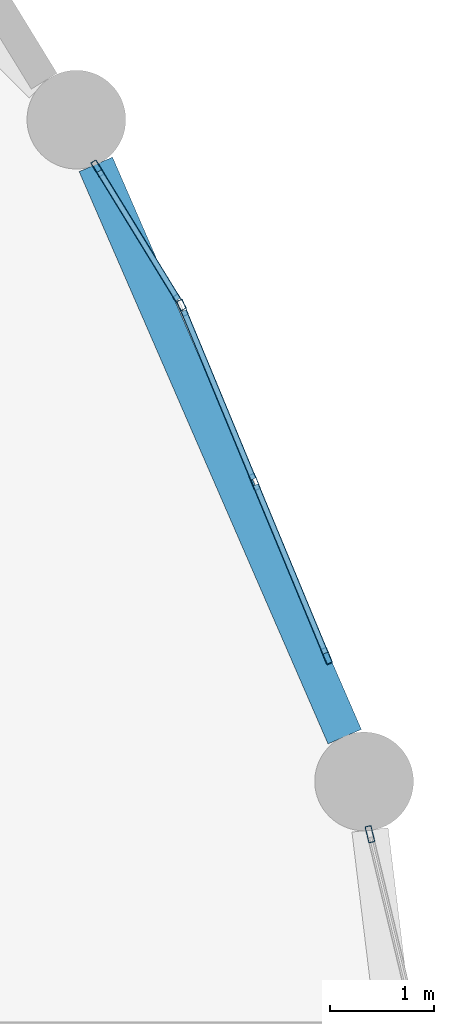
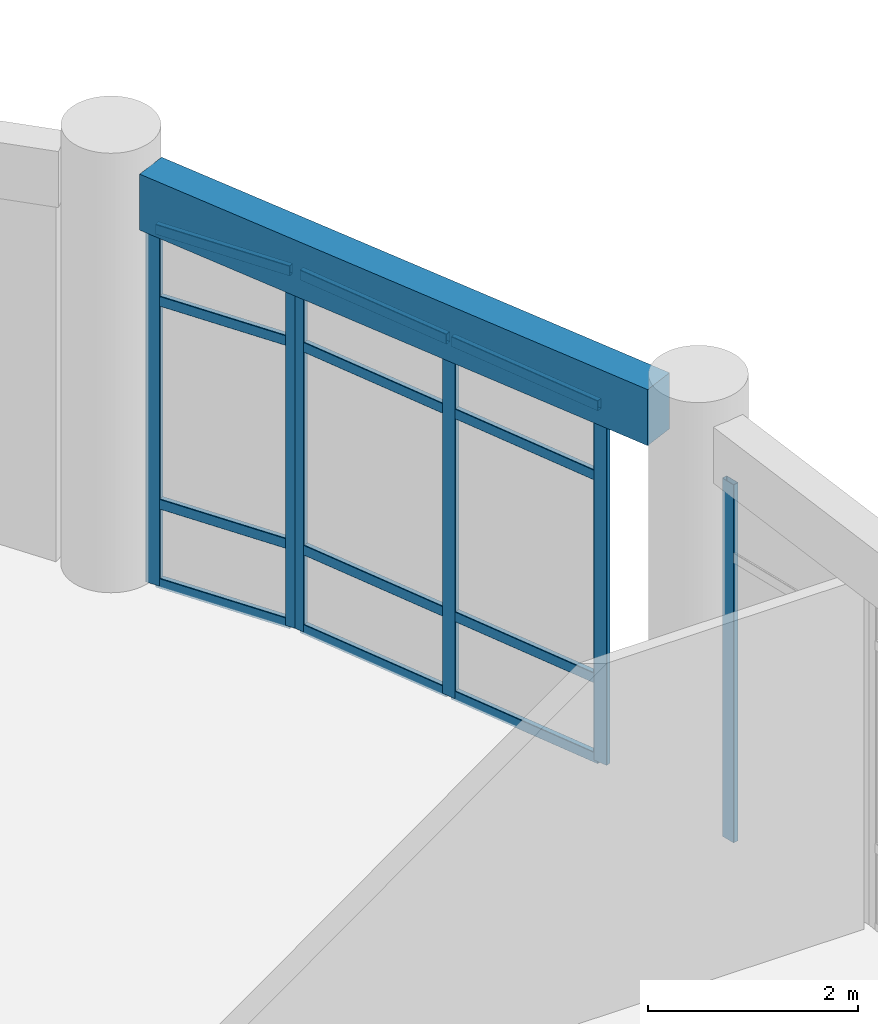
# One storey, part 83 of 120: 18 members, 1 beam, 3 elements without a shape of their own.
"""IFC4 building model written with IfcOpenShell, lengths in metres."""

from ifc_helpers import new_model, si_unit, derived_unit, direction, frame, origin, origin_2d, place, context, subcontext, project, spatial, rectangle, hollow_rectangle, extrude, material, layer, layer_set, material_profile, profile_set, type_object, element, aggregate, save


model = new_model("IFC4")

# Units and contexts
model_context = context("Model", 3, precision=1e-05, world=origin(), true_north=direction((0.0, 1.0)))
body_context = subcontext(model_context, "Body", "Model", "MODEL_VIEW")
ifc_project = project(units=[si_unit("LENGTHUNIT", "METRE"), si_unit("AREAUNIT", "SQUARE_METRE"), si_unit("VOLUMEUNIT", "CUBIC_METRE"), si_unit("PLANEANGLEUNIT", "RADIAN"), si_unit("MASSUNIT", "GRAM", prefix="KILO"), derived_unit("THERMALTRANSMITTANCEUNIT", [(si_unit("MASSUNIT", "GRAM", prefix="KILO"), 1), (si_unit("TIMEUNIT", "SECOND"), -3), (si_unit("THERMODYNAMICTEMPERATUREUNIT", "KELVIN"), -1)])], contexts=[model_context])

# Site, building, storey
site_placement = place(None, origin())
site = spatial("IfcSite", under=ifc_project, at=site_placement, CompositionType="ELEMENT")
building_placement = place(site_placement, origin())
building = spatial("IfcBuilding", under=site, at=building_placement, Name="Qinzheling Arcade Emporium", CompositionType="ELEMENT")
storey_placement = place(building_placement, frame((0.0, 0.0, 11.39990234375)))
storey = spatial("IfcBuildingStorey", under=building, at=storey_placement, Name="L03", CompositionType="ELEMENT", Elevation=11.39990234375)

# Curtain wall, members
ifc_material_1 = material(Name="Anodised aluminium and solar-control double glazing", Category="aluminium")
ifc_layer = layer(ifc_material_1, 0.159912109375, Name="Anodised aluminium and solar-control double glazing", Category="aluminium")
ifc_layer_set = layer_set([ifc_layer], Name="Anodised aluminium and solar-control double glazing")
curtain_wall_type = type_object("IfcCurtainWallType", Name="Curved Ribbon Sales Curtain Wall", PredefinedType="NOTDEFINED", material=ifc_layer_set)
curtain_wall_1_placement = place(storey_placement, origin())
curtain_wall_1 = element("IfcCurtainWall", 1, at=curtain_wall_1_placement, inside=storey, type_object=curtain_wall_type, Name="Curtain Wall CW-L03-188", PredefinedType="NOTDEFINED")
ifc_material_2 = material(Name="Anodised aluminium 6063-T6", Category="aluminium")
ifc_material_profile_1 = material_profile(ifc_material_2, hollow_rectangle(XDim=0.06005859375, YDim=0.159912109375, WallThickness=0.00390625, InnerFilletRadius=0.00390625, OuterFilletRadius=0.008056640625, at=origin_2d()), Name="RHS 160x60x4", Category="aluminium")
ifc_profile_set_1 = profile_set([ifc_material_profile_1], Name="Anodised aluminium 6063-T6")
member_type_1 = type_object("IfcMemberType", Name="Curtain Wall Mullion RHS160x60", PredefinedType="MULLION", material=ifc_profile_set_1)
member_1_placement = place(storey_placement, frame((144.53369140625, 103.08349609375, 0.0), z_axis=(0.0, 0.0, 1.0), x_axis=(0.852683550912, 0.522427757689, 0.0)))
member_1 = element("IfcMember", 2, at=member_1_placement, type_object=member_type_1, Name="CW02 mullion 1", PredefinedType="MULLION", context=body_context, shape_type="SweptSolid", body=[
    extrude(hollow_rectangle(XDim=0.06005859375, YDim=0.159912109375, WallThickness=0.00390625, InnerFilletRadius=0.00390625, OuterFilletRadius=0.008056640625, at=origin_2d()), origin(), (0.0, 0.0, 1.0), 4.155029296875),
])
member_2_placement = place(storey_placement, frame((145.3232421875, 101.794677734375, 0.0), z_axis=(0.0, 0.0, 1.0), x_axis=(0.852683550912, 0.522427757689, 0.0)))
member_2 = element("IfcMember", 3, at=member_2_placement, type_object=member_type_1, Name="CW02 mullion 2", PredefinedType="MULLION", context=body_context, shape_type="SweptSolid", body=[
    extrude(hollow_rectangle(XDim=0.06005859375, YDim=0.159912109375, WallThickness=0.00390625, InnerFilletRadius=0.00390625, OuterFilletRadius=0.008056640625, at=origin_2d()), origin(), (0.0, 0.0, 1.0), 4.155029296875),
])

curtain_wall_2_placement = place(storey_placement, origin())
curtain_wall_2 = element("IfcCurtainWall", 4, at=curtain_wall_2_placement, inside=storey, type_object=curtain_wall_type, Name="Curtain Wall CW-L03-189", PredefinedType="NOTDEFINED")
member_3_placement = place(storey_placement, frame((145.3505859375, 101.7412109375, 0.0), z_axis=(0.0, 0.0, 1.0), x_axis=(0.923901161255, 0.382631211784, 0.0)))
member_3 = element("IfcMember", 5, at=member_3_placement, type_object=member_type_1, Name="CW02 mullion 1", PredefinedType="MULLION", context=body_context, shape_type="SweptSolid", body=[
    extrude(hollow_rectangle(XDim=0.06005859375, YDim=0.159912109375, WallThickness=0.00390625, InnerFilletRadius=0.00390625, OuterFilletRadius=0.008056640625, at=origin_2d()), origin(), (0.0, 0.0, 1.0), 4.155029296875),
])
member_4_placement = place(storey_placement, frame((146.04443359375, 100.0654296875, 0.0), z_axis=(0.0, 0.0, 1.0), x_axis=(0.923901161255, 0.382631211784, 0.0)))
member_4 = element("IfcMember", 6, at=member_4_placement, type_object=member_type_1, Name="CW02 mullion 2", PredefinedType="MULLION", context=body_context, shape_type="SweptSolid", body=[
    extrude(hollow_rectangle(XDim=0.06005859375, YDim=0.159912109375, WallThickness=0.00390625, InnerFilletRadius=0.00390625, OuterFilletRadius=0.008056640625, at=origin_2d()), origin(), (0.0, 0.0, 1.0), 4.155029296875),
])
member_5_placement = place(storey_placement, frame((146.738525390625, 98.3896484375, 0.0), z_axis=(0.0, 0.0, 1.0), x_axis=(0.923901161255, 0.382631211784, 0.0)))
member_5 = element("IfcMember", 7, at=member_5_placement, type_object=member_type_1, Name="CW02 mullion 3", PredefinedType="MULLION", context=body_context, shape_type="SweptSolid", body=[
    extrude(hollow_rectangle(XDim=0.06005859375, YDim=0.159912109375, WallThickness=0.00390625, InnerFilletRadius=0.00390625, OuterFilletRadius=0.008056640625, at=origin_2d()), origin(), (0.0, 0.0, 1.0), 4.155029296875),
])

# Curtain wall, member
curtain_wall_3_placement = place(storey_placement, origin())
curtain_wall_3 = element("IfcCurtainWall", 8, at=curtain_wall_3_placement, inside=storey, type_object=curtain_wall_type, Name="Curtain Wall CW-L03-190", PredefinedType="NOTDEFINED")
member_6_placement = place(storey_placement, frame((147.155029296875, 96.673828125, 0.0), z_axis=(0.0, 0.0, 1.0), x_axis=(0.972327728237, 0.233621036939, 0.0)))
member_6 = element("IfcMember", 9, at=member_6_placement, type_object=member_type_1, Name="CW02 mullion 1", PredefinedType="MULLION", context=body_context, shape_type="SweptSolid", body=[
    extrude(hollow_rectangle(XDim=0.06005859375, YDim=0.159912109375, WallThickness=0.00390625, InnerFilletRadius=0.00390625, OuterFilletRadius=0.008056640625, at=origin_2d()), origin(), (0.0, 0.0, 1.0), 4.155029296875),
])
aggregate(curtain_wall_3, [member_6])

# Member
ifc_material_profile_2 = material_profile(ifc_material_2, hollow_rectangle(XDim=0.06005859375, YDim=0.1201171875, WallThickness=0.00390625, InnerFilletRadius=0.00390625, OuterFilletRadius=0.008056640625, at=origin_2d()), Name="RHS 120x60x4", Category="aluminium")
ifc_profile_set_2 = profile_set([ifc_material_profile_2], Name="Anodised aluminium 6063-T6")
member_type_2 = type_object("IfcMemberType", Name="Curtain Wall Transom RHS120x60", PredefinedType="USERDEFINED", material=ifc_profile_set_2)
member_7_placement = place(storey_placement, frame((144.54931640625, 103.057861328125, 0.030029296875), z_axis=(0.522388516899, -0.852707591975, 0.0), x_axis=(0.852707591975, 0.522388516899, 0.0)))
member_7 = element("IfcMember", 10, at=member_7_placement, type_object=member_type_2, Name="CW02 transom 1.1", ObjectType="TRANSOM", PredefinedType="USERDEFINED", context=body_context, shape_type="SweptSolid", body=[
    extrude(hollow_rectangle(XDim=0.06005859375, YDim=0.1201171875, WallThickness=0.00390625, InnerFilletRadius=0.00390625, OuterFilletRadius=0.008056640625, at=origin_2d()), origin(), (0.0, 0.0, 1.0), 1.45166015625),
])

member_8_placement = place(storey_placement, frame((144.54931640625, 103.057861328125, 0.9501953125), z_axis=(0.522388516899, -0.852707591975, 0.0), x_axis=(0.852707591975, 0.522388516899, 0.0)))
member_8 = element("IfcMember", 11, at=member_8_placement, type_object=member_type_2, Name="CW02 transom 1.2", ObjectType="TRANSOM", PredefinedType="USERDEFINED", context=body_context, shape_type="SweptSolid", body=[
    extrude(hollow_rectangle(XDim=0.06005859375, YDim=0.1201171875, WallThickness=0.00390625, InnerFilletRadius=0.00390625, OuterFilletRadius=0.008056640625, at=origin_2d()), origin(), (0.0, 0.0, 1.0), 1.45166015625),
])

member_9_placement = place(storey_placement, frame((144.54931640625, 103.057861328125, 3.30517578125), z_axis=(0.522388516899, -0.852707591975, 0.0), x_axis=(0.852707591975, 0.522388516899, 0.0)))
member_9 = element("IfcMember", 12, at=member_9_placement, type_object=member_type_2, Name="CW02 transom 1.3", ObjectType="TRANSOM", PredefinedType="USERDEFINED", context=body_context, shape_type="SweptSolid", body=[
    extrude(hollow_rectangle(XDim=0.06005859375, YDim=0.1201171875, WallThickness=0.00390625, InnerFilletRadius=0.00390625, OuterFilletRadius=0.008056640625, at=origin_2d()), origin(), (0.0, 0.0, 1.0), 1.45166015625),
])

member_10_placement = place(storey_placement, frame((144.54931640625, 103.057861328125, 4.125), z_axis=(0.522388516899, -0.852707591975, 0.0), x_axis=(0.852707591975, 0.522388516899, 0.0)))
member_10 = element("IfcMember", 13, at=member_10_placement, type_object=member_type_2, Name="CW02 transom 1.4", ObjectType="TRANSOM", PredefinedType="USERDEFINED", context=body_context, shape_type="SweptSolid", body=[
    extrude(hollow_rectangle(XDim=0.06005859375, YDim=0.1201171875, WallThickness=0.00390625, InnerFilletRadius=0.00390625, OuterFilletRadius=0.008056640625, at=origin_2d()), origin(), (0.0, 0.0, 1.0), 1.45166015625),
])

aggregate(curtain_wall_1, [member_1, member_2, member_7, member_8, member_9, member_10])

member_11_placement = place(storey_placement, frame((145.362060546875, 101.713623046875, 0.030029296875), z_axis=(0.382548515059, -0.923935405549, 0.0), x_axis=(0.923935405549, 0.382548515059, 0.0)))
member_11 = element("IfcMember", 14, at=member_11_placement, type_object=member_type_2, Name="CW02 transom 1.1", ObjectType="TRANSOM", PredefinedType="USERDEFINED", context=body_context, shape_type="SweptSolid", body=[
    extrude(hollow_rectangle(XDim=0.06005859375, YDim=0.1201171875, WallThickness=0.00390625, InnerFilletRadius=0.00390625, OuterFilletRadius=0.008056640625, at=origin_2d()), origin(), (0.0, 0.0, 1.0), 1.753662109375),
])

member_12_placement = place(storey_placement, frame((145.362060546875, 101.713623046875, 0.9501953125), z_axis=(0.382548515059, -0.923935405549, 0.0), x_axis=(0.923935405549, 0.382548515059, 0.0)))
member_12 = element("IfcMember", 15, at=member_12_placement, type_object=member_type_2, Name="CW02 transom 1.2", ObjectType="TRANSOM", PredefinedType="USERDEFINED", context=body_context, shape_type="SweptSolid", body=[
    extrude(hollow_rectangle(XDim=0.06005859375, YDim=0.1201171875, WallThickness=0.00390625, InnerFilletRadius=0.00390625, OuterFilletRadius=0.008056640625, at=origin_2d()), origin(), (0.0, 0.0, 1.0), 1.753662109375),
])

member_13_placement = place(storey_placement, frame((145.362060546875, 101.713623046875, 3.30517578125), z_axis=(0.382548515059, -0.923935405549, 0.0), x_axis=(0.923935405549, 0.382548515059, 0.0)))
member_13 = element("IfcMember", 16, at=member_13_placement, type_object=member_type_2, Name="CW02 transom 1.3", ObjectType="TRANSOM", PredefinedType="USERDEFINED", context=body_context, shape_type="SweptSolid", body=[
    extrude(hollow_rectangle(XDim=0.06005859375, YDim=0.1201171875, WallThickness=0.00390625, InnerFilletRadius=0.00390625, OuterFilletRadius=0.008056640625, at=origin_2d()), origin(), (0.0, 0.0, 1.0), 1.753662109375),
])

member_14_placement = place(storey_placement, frame((145.362060546875, 101.713623046875, 4.125), z_axis=(0.382548515059, -0.923935405549, 0.0), x_axis=(0.923935405549, 0.382548515059, 0.0)))
member_14 = element("IfcMember", 17, at=member_14_placement, type_object=member_type_2, Name="CW02 transom 1.4", ObjectType="TRANSOM", PredefinedType="USERDEFINED", context=body_context, shape_type="SweptSolid", body=[
    extrude(hollow_rectangle(XDim=0.06005859375, YDim=0.1201171875, WallThickness=0.00390625, InnerFilletRadius=0.00390625, OuterFilletRadius=0.008056640625, at=origin_2d()), origin(), (0.0, 0.0, 1.0), 1.753662109375),
])

member_15_placement = place(storey_placement, frame((146.055908203125, 100.037841796875, 0.030029296875), z_axis=(0.38266734293, -0.923886196809, 0.0), x_axis=(0.923886196809, 0.38266734293, 0.0)))
member_15 = element("IfcMember", 18, at=member_15_placement, type_object=member_type_2, Name="CW02 transom 2.1", ObjectType="TRANSOM", PredefinedType="USERDEFINED", context=body_context, shape_type="SweptSolid", body=[
    extrude(hollow_rectangle(XDim=0.06005859375, YDim=0.1201171875, WallThickness=0.00390625, InnerFilletRadius=0.00390625, OuterFilletRadius=0.008056640625, at=origin_2d()), origin(), (0.0, 0.0, 1.0), 1.75390625),
])

member_16_placement = place(storey_placement, frame((146.055908203125, 100.037841796875, 0.9501953125), z_axis=(0.38266734293, -0.923886196809, 0.0), x_axis=(0.923886196809, 0.38266734293, 0.0)))
member_16 = element("IfcMember", 19, at=member_16_placement, type_object=member_type_2, Name="CW02 transom 2.2", ObjectType="TRANSOM", PredefinedType="USERDEFINED", context=body_context, shape_type="SweptSolid", body=[
    extrude(hollow_rectangle(XDim=0.06005859375, YDim=0.1201171875, WallThickness=0.00390625, InnerFilletRadius=0.00390625, OuterFilletRadius=0.008056640625, at=origin_2d()), origin(), (0.0, 0.0, 1.0), 1.75390625),
])

member_17_placement = place(storey_placement, frame((146.055908203125, 100.037841796875, 3.30517578125), z_axis=(0.38266734293, -0.923886196809, 0.0), x_axis=(0.923886196809, 0.38266734293, 0.0)))
member_17 = element("IfcMember", 20, at=member_17_placement, type_object=member_type_2, Name="CW02 transom 2.3", ObjectType="TRANSOM", PredefinedType="USERDEFINED", context=body_context, shape_type="SweptSolid", body=[
    extrude(hollow_rectangle(XDim=0.06005859375, YDim=0.1201171875, WallThickness=0.00390625, InnerFilletRadius=0.00390625, OuterFilletRadius=0.008056640625, at=origin_2d()), origin(), (0.0, 0.0, 1.0), 1.75390625),
])

member_18_placement = place(storey_placement, frame((146.055908203125, 100.037841796875, 4.125), z_axis=(0.38266734293, -0.923886196809, 0.0), x_axis=(0.923886196809, 0.38266734293, 0.0)))
member_18 = element("IfcMember", 21, at=member_18_placement, type_object=member_type_2, Name="CW02 transom 2.4", ObjectType="TRANSOM", PredefinedType="USERDEFINED", context=body_context, shape_type="SweptSolid", body=[
    extrude(hollow_rectangle(XDim=0.06005859375, YDim=0.1201171875, WallThickness=0.00390625, InnerFilletRadius=0.00390625, OuterFilletRadius=0.008056640625, at=origin_2d()), origin(), (0.0, 0.0, 1.0), 1.75390625),
])

aggregate(curtain_wall_2, [member_3, member_4, member_5, member_11, member_12, member_13, member_14, member_15, member_16, member_17, member_18])

# Beam
ifc_material_3 = material(Name="Concrete C40", Category="concrete")
ifc_material_profile_3 = material_profile(ifc_material_3, rectangle(XDim=0.35009765625, YDim=0.64990234375, at=origin_2d()), Name="RC 350x650", Category="concrete")
ifc_profile_set_3 = profile_set([ifc_material_profile_3], Name="Concrete C40")
beam_type = type_object("IfcBeamType", Name="RC Spandrel Edge Beam 350x650 C40", PredefinedType="SPANDREL", material=ifc_profile_set_3)
beam_placement = place(storey_placement, frame((146.912109375, 97.613037109375, 4.4951171875), z_axis=(-0.398833101569, 0.917023531374, 0.0), x_axis=(-0.917023531374, -0.398833101569, 0.0)))
element("IfcBeam", 22, at=beam_placement, inside=storey, type_object=beam_type, Name="Curved Arcade Spandrel BM-L03-CV6-B02", PredefinedType="SPANDREL", context=body_context, shape_type="SweptSolid", body=[
    extrude(rectangle(XDim=0.35009765625, YDim=0.64990234375, at=origin_2d()), origin(), (0.0, 0.0, 1.0), 6.007568359375),
])

save(model, "model.ifc")
